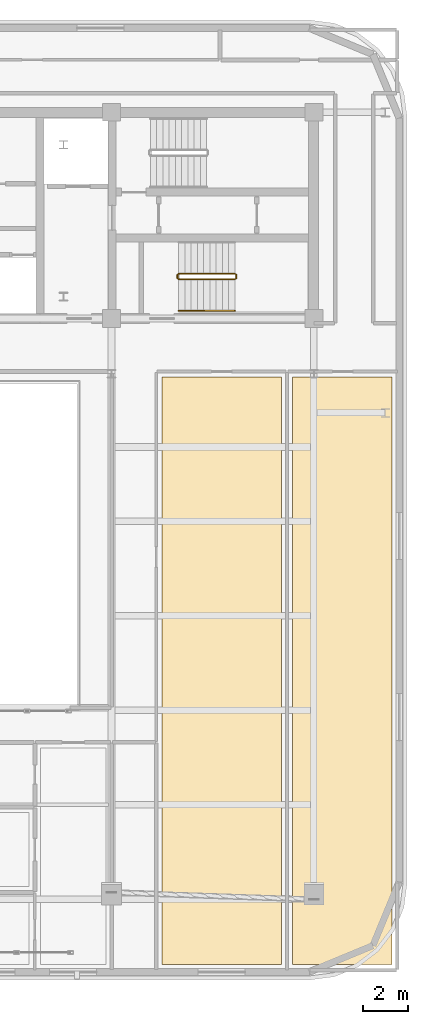
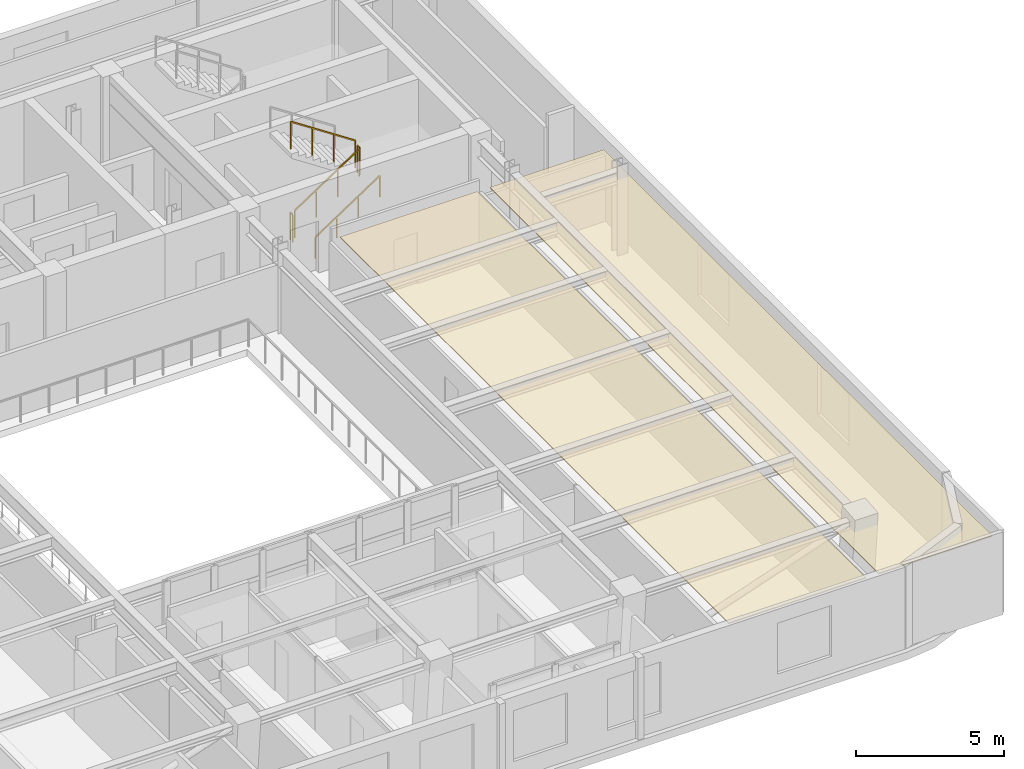
# One storey, part 11 of 12: 5 railings, 2 coverings.
"""IFC4 building model written with IfcOpenShell, lengths in metres."""

from ifc_helpers import new_model, si_unit, direction, frame, origin, origin_2d, place, context, subcontext, project, spatial, polyline, rectangle, outline, extrude, material, layer, layer_set, type_object, element, save


model = new_model("IFC4")

# Units and contexts
model_context = context("Model", 3, precision=1e-05, world=origin(), true_north=direction((0.0, 1.0)))
body_context = subcontext(model_context, "Body", "Model", "MODEL_VIEW")
ifc_project = project(units=[si_unit("LENGTHUNIT", "METRE"), si_unit("AREAUNIT", "SQUARE_METRE"), si_unit("VOLUMEUNIT", "CUBIC_METRE"), si_unit("PLANEANGLEUNIT", "RADIAN"), si_unit("MASSUNIT", "GRAM", prefix="KILO")], contexts=[model_context])

# Site, building, storey
site_placement = place(None, origin())
site = spatial("IfcSite", under=ifc_project, at=site_placement, CompositionType="ELEMENT")
building_placement = place(site_placement, origin())
building = spatial("IfcBuilding", under=site, at=building_placement, Name="Zarnavel Station Tower", CompositionType="ELEMENT")
storey_placement = place(building_placement, frame((0.0, 0.0, 265.800048828125)))
storey = spatial("IfcBuildingStorey", under=building, at=storey_placement, Name="L72", CompositionType="ELEMENT", Elevation=265.800048828125)

# Coverings
ifc_material_1 = material(Name="Perforated Gypsum and Mineral-Wool Acoustic Ceiling", Category="concrete")
ifc_layer = layer(ifc_material_1, 0.0400390625)
ifc_layer_set = layer_set([ifc_layer], Name="COV_CEIL_ACOUSTIC")
covering_type = type_object("IfcCoveringType", Name="COV_CEIL_ACOUSTIC", PredefinedType="CEILING", material=ifc_layer_set)
covering_1_placement = place(storey_placement, frame((0.0, 0.0, 3.099853515625)))
element("IfcCovering", 1, at=covering_1_placement, inside=storey, type_object=covering_type, Name="L72 L71SPA Acoustic Ceiling", PredefinedType="CEILING", context=body_context, shape_type="SweptSolid", body=[
    extrude(outline(polyline([(38.60009765625, -1.090087890625), (43.949951171875, -1.090087890625), (43.949951171875, 25.199951171875), (38.60009765625, 25.199951171875), (38.60009765625, -1.090087890625)])), origin(), (0.0, 0.0, 1.0), 0.0400390625),
])
covering_2_placement = place(storey_placement, frame((0.0, 0.0, 3.099853515625)))
element("IfcCovering", 2, at=covering_2_placement, inside=storey, type_object=covering_type, Name="L72 L71BAR Acoustic Ceiling", PredefinedType="CEILING", context=body_context, shape_type="SweptSolid", body=[
    extrude(outline(polyline([(44.449951171875, -1.090087890625), (48.889892578125, -1.090087890625), (48.889892578125, 25.199951171875), (44.449951171875, 25.199951171875), (44.449951171875, -1.090087890625)])), origin(), (0.0, 0.0, 1.0), 0.0400390625),
])

# Railings
ifc_material_2 = material(Name="Painted Steel S355J2 Balustrade", Category="steel")
railing_type_1 = type_object("IfcRailingType", Name="GR_INT_1150", PredefinedType="GUARDRAIL", material=ifc_material_2)
railing_1_placement = place(storey_placement, frame((39.35009765625, 29.570068359375, 0.18505859375)))
element("IfcRailing", 3, at=railing_1_placement, inside=storey, type_object=railing_type_1, Name="L72 ST3 stair guard 1", PredefinedType="GUARDRAIL", context=body_context, shape_type="SweptSolid", body=[
    extrude(rectangle(XDim=0.048095703125, YDim=0.048095703125, at=origin_2d()), frame((0.001708984375, 0.0, 1.126953125), z_axis=(0.83436851402, 0.0, 0.551207023552), x_axis=(0.0, 1.0, 0.0)), (0.0, 0.0, 1.0), 3.016357421875),
    extrude(rectangle(XDim=0.0419921875, YDim=0.0419921875, at=origin_2d()), origin(), (0.0, 0.0, 1.0), 1.101806640625),
    extrude(rectangle(XDim=0.0419921875, YDim=0.0419921875, at=origin_2d()), frame((0.840087890625, 0.0, 0.554931640625)), (0.0, 0.0, 1.0), 1.101806640625),
    extrude(rectangle(XDim=0.0419921875, YDim=0.0419921875, at=origin_2d()), frame((1.679931640625, 0.0, 1.10986328125)), (0.0, 0.0, 1.0), 1.101806640625),
    extrude(rectangle(XDim=0.0419921875, YDim=0.0419921875, at=origin_2d()), frame((2.52001953125, 0.0, 1.664794921875)), (0.0, 0.0, 1.0), 1.101806640625),
])
railing_2_placement = place(storey_placement, frame((41.919921875, 29.6201171875, 1.849853515625)))
element("IfcRailing", 4, at=railing_2_placement, inside=storey, type_object=railing_type_1, Name="L72 ST3 stair guard 2", PredefinedType="GUARDRAIL", context=body_context, shape_type="SweptSolid", body=[
    extrude(rectangle(XDim=0.048095703125, YDim=0.048095703125, at=origin_2d()), frame((0.0, 0.001953125, 1.1259765625), z_axis=(0.0, 1.0, 0.0), x_axis=(-1.0, 0.0, 0.0)), (0.0, 0.0, 1.0), 0.156005859375),
    extrude(rectangle(XDim=0.0419921875, YDim=0.0419921875, at=origin_2d()), origin(), (0.0, 0.0, 1.0), 1.101806640625),
    extrude(rectangle(XDim=0.0419921875, YDim=0.0419921875, at=origin_2d()), frame((0.0, 0.159912109375, 0.0)), (0.0, 0.0, 1.0), 1.101806640625),
])
railing_3_placement = place(storey_placement, frame((41.8701171875, 29.830078125, 2.034912109375)))
element("IfcRailing", 5, at=railing_3_placement, inside=storey, type_object=railing_type_1, Name="L72 ST3 stair guard 3", PredefinedType="GUARDRAIL", context=body_context, shape_type="SweptSolid", body=[
    extrude(rectangle(XDim=0.048095703125, YDim=0.048095703125, at=origin_2d()), frame((-0.001708984375, 0.0, 1.126953125), z_axis=(-0.834331337432, 0.0, 0.55126329406), x_axis=(0.0, -1.0, 0.0)), (0.0, 0.0, 1.0), 3.016357421875),
    extrude(rectangle(XDim=0.0419921875, YDim=0.0419921875, at=origin_2d()), origin(), (0.0, 0.0, 1.0), 1.101806640625),
    extrude(rectangle(XDim=0.0419921875, YDim=0.0419921875, at=origin_2d()), frame((-0.840087890625, 0.0, 0.554931640625)), (0.0, 0.0, 1.0), 1.101806640625),
    extrude(rectangle(XDim=0.0419921875, YDim=0.0419921875, at=origin_2d()), frame((-1.679931640625, 0.0, 1.110107421875)), (0.0, 0.0, 1.0), 1.101806640625),
    extrude(rectangle(XDim=0.0419921875, YDim=0.0419921875, at=origin_2d()), frame((-2.52001953125, 0.0, 1.6650390625)), (0.0, 0.0, 1.0), 1.101806640625),
])
railing_4_placement = place(storey_placement, frame((39.300048828125, 29.6201171875, 0.0)))
element("IfcRailing", 6, at=railing_4_placement, inside=storey, type_object=railing_type_1, Name="L72 ST3 stair guard 4", PredefinedType="GUARDRAIL", context=body_context, shape_type="SweptSolid", body=[
    extrude(rectangle(XDim=0.048095703125, YDim=0.048095703125, at=origin_2d()), frame((0.0, 0.001953125, 1.1259765625), z_axis=(0.0, 1.0, 0.0), x_axis=(-1.0, 0.0, 0.0)), (0.0, 0.0, 1.0), 0.156005859375),
    extrude(rectangle(XDim=0.0419921875, YDim=0.0419921875, at=origin_2d()), origin(), (0.0, 0.0, 1.0), 1.101806640625),
    extrude(rectangle(XDim=0.0419921875, YDim=0.0419921875, at=origin_2d()), frame((0.0, 0.159912109375, 0.0)), (0.0, 0.0, 1.0), 1.101806640625),
])
ifc_material_3 = material(Name="Brushed Stainless Steel S355J2 Handrail", Category="steel")
railing_type_2 = type_object("IfcRailingType", Name="HR_STAIR_900", PredefinedType="HANDRAIL", material=ifc_material_3)
railing_5_placement = place(storey_placement, frame((39.35009765625, 28.169921875, 0.18505859375)))
element("IfcRailing", 7, at=railing_5_placement, inside=storey, type_object=railing_type_2, Name="L72 ST3 stair handrail 1", PredefinedType="HANDRAIL", context=body_context, shape_type="SweptSolid", body=[
    extrude(rectangle(XDim=0.048095703125, YDim=0.048095703125, at=origin_2d()), frame((0.001708984375, 0.0, 0.876953125), z_axis=(0.83436851402, 0.0, 0.551207023552), x_axis=(0.0, 1.0, 0.0)), (0.0, 0.0, 1.0), 3.016357421875),
    extrude(rectangle(XDim=0.0419921875, YDim=0.0419921875, at=origin_2d()), origin(), (0.0, 0.0, 1.0), 0.851806640625),
    extrude(rectangle(XDim=0.0419921875, YDim=0.0419921875, at=origin_2d()), frame((0.840087890625, 0.0, 0.554931640625)), (0.0, 0.0, 1.0), 0.851806640625),
    extrude(rectangle(XDim=0.0419921875, YDim=0.0419921875, at=origin_2d()), frame((1.679931640625, 0.0, 1.10986328125)), (0.0, 0.0, 1.0), 0.851806640625),
    extrude(rectangle(XDim=0.0419921875, YDim=0.0419921875, at=origin_2d()), frame((2.52001953125, 0.0, 1.664794921875)), (0.0, 0.0, 1.0), 0.851806640625),
])

save(model, "model.ifc")
